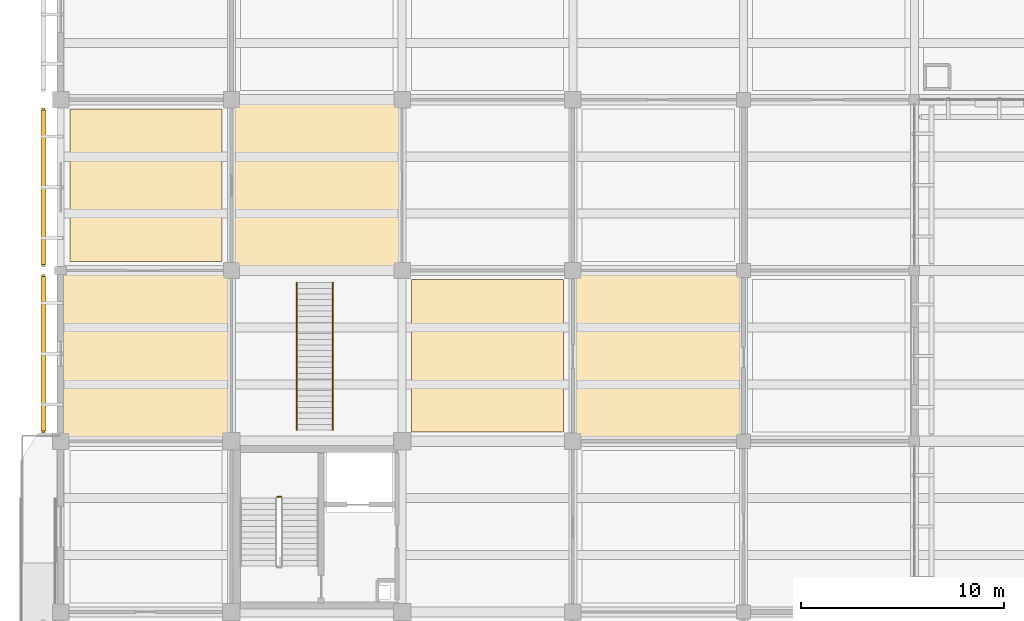
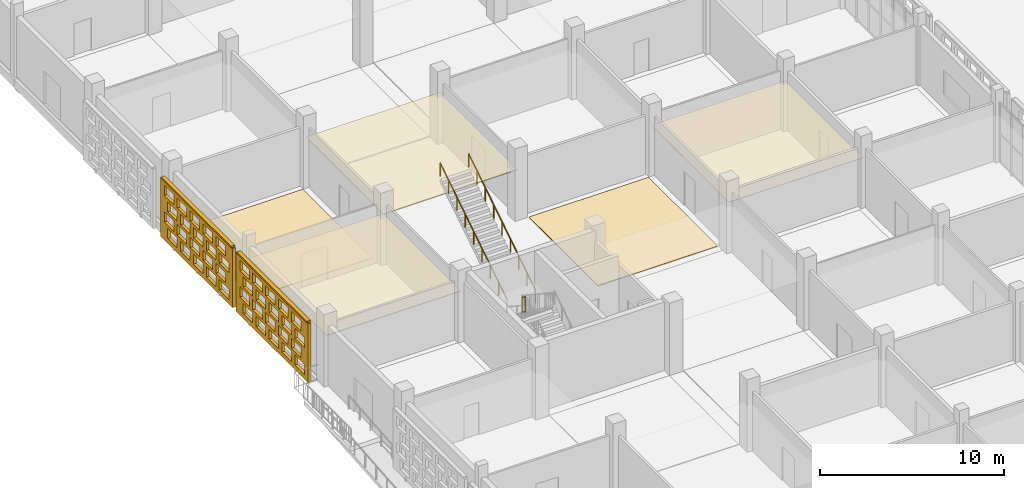
# One storey, part 96 of 129: 7 coverings, 3 railings, 2 shading devices, 40 openings.
"""IFC4 building model written with IfcOpenShell, lengths in metres."""

from ifc_helpers import new_model, si_unit, direction, frame, frame_2d, origin, origin_2d, place, context, subcontext, project, spatial, rectangle, circle, extrude, material, layer, layer_set, type_object, element, save


model = new_model("IFC4")

# Units and contexts
model_context = context("Model", 3, precision=1e-05, world=origin(), true_north=direction((0.0, 1.0)))
body_context = subcontext(model_context, "Body", "Model", "MODEL_VIEW")
ifc_project = project(units=[si_unit("LENGTHUNIT", "METRE"), si_unit("AREAUNIT", "SQUARE_METRE"), si_unit("VOLUMEUNIT", "CUBIC_METRE"), si_unit("PLANEANGLEUNIT", "RADIAN"), si_unit("MASSUNIT", "GRAM", prefix="KILO")], contexts=[model_context])

# Site, building, storey
site_placement = place(None, origin())
site = spatial("IfcSite", under=ifc_project, at=site_placement, CompositionType="ELEMENT")
building_placement = place(site_placement, origin())
building = spatial("IfcBuilding", under=site, at=building_placement, Name="Varnapada Polytechnic", CompositionType="ELEMENT")
storey_placement = place(building_placement, origin())
storey = spatial("IfcBuildingStorey", under=building, at=storey_placement, Name="L00", CompositionType="ELEMENT", Elevation=0.0)

# Coverings
ifc_material_1 = material(Name="Acoustic Rubber Seminar Flooring")
ifc_layer_1 = layer(ifc_material_1, 0.0400390625)
ifc_layer_set_1 = layer_set([ifc_layer_1], Name="Acoustic Rubber Seminar Flooring")
covering_type_1 = type_object("IfcCoveringType", Name="Floor Finish FLR-06", PredefinedType="FLOORING", material=ifc_layer_set_1)
for number, where, z_axis, x_axis, name in (
    (1, (4.199951171875, 79.800048828125, 0.0), (0.0, 0.0, 1.0), (1.0, 0.0, 0.0), "L00 floor finish panel (1,10)"),
    (2, (21.0, 71.39990234375, 0.0), (0.0, 0.0, 1.0), (1.0, 0.0, 0.0), "L00 floor finish panel (3,9)"),
):
    element("IfcCovering", number, at=place(storey_placement, frame(where, z_axis=z_axis, x_axis=x_axis)), inside=storey, type_object=covering_type_1, Name=name, PredefinedType="FLOORING", context=body_context, shape_type="SweptSolid", body=[
        extrude(rectangle(XDim=7.5, YDim=7.5, at=origin_2d()), origin(), (0.0, 0.0, 1.0), 0.0400390625),
    ])

# Railings
ifc_material_2 = material(Name="Brushed Stainless Steel 316", Category="steel")
railing_type_1 = type_object("IfcRailingType", Name="Stair Wall Handrail SHR-01", PredefinedType="HANDRAIL", material=ifc_material_2)
for number, where, name in (
    (3, (11.610107421875, 67.75, 0.177734375), "L00 commons stair ST-F3 handrail L"),
    (4, (13.389892578125, 67.75, 0.177734375), "L00 commons stair ST-F3 handrail R"),
):
    element("IfcRailing", number, at=place(storey_placement, frame(where)), inside=storey, type_object=railing_type_1, Name=name, PredefinedType="HANDRAIL", context=body_context, shape_type="SweptSolid", body=[
        extrude(circle(Radius=0.02392578125, at=origin_2d()), frame((0.0, 0.0, 0.8759765625), z_axis=(0.0, 0.84320402991, 0.537593679226), x_axis=(-1.0, 0.0, 0.0)), (0.0, 0.0, 1.0), 8.59814453125),
        extrude(circle(Radius=0.02099609375, at=origin_2d()), origin(), (0.0, 0.0, 1.0), 0.851806640625),
        extrude(circle(Radius=0.02099609375, at=origin_2d()), frame((0.0, 0.90625, 0.577880859375)), (0.0, 0.0, 1.0), 0.851806640625),
        extrude(circle(Radius=0.02099609375, at=origin_2d()), frame((0.0, 1.8125, 1.155517578125)), (0.0, 0.0, 1.0), 0.851806640625),
        extrude(circle(Radius=0.02099609375, at=origin_2d()), frame((0.0, 2.71875, 1.7333984375)), (0.0, 0.0, 1.0), 0.851806640625),
        extrude(circle(Radius=0.02099609375, at=origin_2d()), frame((0.0, 3.625, 2.31103515625)), (0.0, 0.0, 1.0), 0.851806640625),
        extrude(circle(Radius=0.02099609375, at=origin_2d()), frame((0.0, 4.53125, 2.888916015625)), (0.0, 0.0, 1.0), 0.851806640625),
        extrude(circle(Radius=0.02099609375, at=origin_2d()), frame((0.0, 5.4375, 3.466796875)), (0.0, 0.0, 1.0), 0.851806640625),
        extrude(circle(Radius=0.02099609375, at=origin_2d()), frame((0.0, 6.34375, 4.04443359375)), (0.0, 0.0, 1.0), 0.851806640625),
        extrude(circle(Radius=0.02099609375, at=origin_2d()), frame((0.0, 7.25, 4.622314453125)), (0.0, 0.0, 1.0), 0.851806640625),
    ])
railing_type_2 = type_object("IfcRailingType", Name="Stair Well Guard Rail SGR-01", PredefinedType="BALUSTRADE", material=ifc_material_2)
railing_placement = place(storey_placement, frame((10.85009765625, 64.4599609375, 2.39990234375)))
element("IfcRailing", 5, at=railing_placement, inside=storey, type_object=railing_type_2, Name="L00 ST-2 stair guard 2", PredefinedType="BALUSTRADE", context=body_context, shape_type="SweptSolid", body=[
    extrude(circle(Radius=0.02392578125, at=origin_2d()), frame((0.0, 0.0, 1.09619140625), z_axis=(-1.0, 0.0, 0.0), x_axis=(0.0, -1.0, 0.0)), (0.0, 0.0, 1.0), 0.2001953125),
    extrude(circle(Radius=0.02392578125, at=origin_2d()), frame((0.0, 0.0, 0.10009765625), z_axis=(-1.0, 0.0, 0.0), x_axis=(0.0, -1.0, 0.0)), (0.0, 0.0, 1.0), 0.2001953125),
    extrude(circle(Radius=0.02099609375, at=origin_2d()), origin(), (0.0, 0.0, 1.0), 1.072021484375),
    extrude(circle(Radius=0.02099609375, at=origin_2d()), frame((-0.2001953125, 0.0, 0.0)), (0.0, 0.0, 1.0), 1.072021484375),
])

# Coverings
ifc_material_3 = material(Name="Mineral Fibre Acoustic Ceiling Tile")
ifc_layer_2 = layer(ifc_material_3, 0.0400390625)
ifc_layer_set_2 = layer_set([ifc_layer_2], Name="Mineral Fibre Acoustic Ceiling Tile")
covering_type_2 = type_object("IfcCoveringType", Name="Suspended Ceiling CLG-01", PredefinedType="CEILING", material=ifc_layer_set_2)
covering_1_placement = place(storey_placement, frame((29.39990234375, 71.39990234375, 3.030029296875), z_axis=(0.0, 0.0, 1.0), x_axis=(1.0, 0.0, 0.0)))
element("IfcCovering", 6, at=covering_1_placement, inside=storey, type_object=covering_type_2, Name="L00 suspended acoustic ceiling (4,9)", PredefinedType="CEILING", context=body_context, shape_type="SweptSolid", body=[
    extrude(rectangle(XDim=8.419921875, YDim=8.419921875, at=origin_2d()), origin(), (0.0, 0.0, 1.0), 0.0400390625),
])
ifc_material_4 = material(Name="Slatted Merbau Timber Acoustic Ceiling", Category="wood")
ifc_layer_3 = layer(ifc_material_4, 0.054931640625)
ifc_layer_set_3 = layer_set([ifc_layer_3], Name="Slatted Merbau Timber Acoustic Ceiling")
covering_type_3 = type_object("IfcCoveringType", Name="Suspended Ceiling CLG-05", PredefinedType="CEILING", material=ifc_layer_set_3)
for number, where, z_axis, x_axis, name in (
    (7, (4.199951171875, 71.39990234375, 3.0224609375), (0.0, 0.0, 1.0), (1.0, 0.0, 0.0), "L00 suspended acoustic ceiling (1,9)"),
    (8, (12.60009765625, 79.800048828125, 3.0224609375), (0.0, 0.0, 1.0), (1.0, 0.0, 0.0), "L00 suspended acoustic ceiling (2,10)"),
):
    element("IfcCovering", number, at=place(storey_placement, frame(where, z_axis=z_axis, x_axis=x_axis)), inside=storey, type_object=covering_type_3, Name=name, PredefinedType="CEILING", context=body_context, shape_type="SweptSolid", body=[
        extrude(rectangle(XDim=8.419921875, YDim=8.419921875, at=origin_2d()), origin(), (0.0, 0.0, 1.0), 0.054931640625),
    ])

# Covering, openings
ifc_material_5 = material(Name="Earth-toned architectural terracotta screen block", Category="masonry")
ifc_layer_4 = layer(ifc_material_5, 0.1201171875)
ifc_layer_set_4 = layer_set([ifc_layer_4], Name="Earth-toned architectural terracotta screen block")
covering_type_4 = type_object("IfcCoveringType", Name="Terracotta Screen Cladding CLD-01", PredefinedType="CLADDING", material=ifc_layer_set_4)
covering_2_placement = place(storey_placement, frame((-0.85009765625, 67.60009765625, 0.0), z_axis=(0.0, 0.0, 1.0), x_axis=(0.0, 1.0, 0.0)))
covering_2 = element("IfcCovering", 9, at=covering_2_placement, inside=storey, type_object=covering_type_4, Name="L00 perforated terracotta block screen (5)", PredefinedType="CLADDING", context=body_context, shape_type="SweptSolid", body=[
    extrude(rectangle(XDim=7.7998046875, YDim=0.179931640625, at=frame_2d((3.89990234375, 0.0))), origin(), (0.0, 0.0, 1.0), 3.919921875),
])
opening_1_placement = place(covering_2_placement, frame((0.39990234375, 0.0, 0.313720703125)))
element("IfcOpeningElement", 10, at=opening_1_placement, cuts=covering_2, Name="Screen perforation TBS-L00-004.1", PredefinedType="OPENING", context=body_context, shape_type="SweptSolid", body=[
    extrude(rectangle(XDim=1.0400390625, YDim=0.679931640625, at=frame_2d((0.52001953125, 0.33984375))), frame((0.0, 0.099853515625, 0.0), z_axis=(0.0, -1.0, 0.0), x_axis=(1.0, 0.0, 0.0)), (0.0, 0.0, 1.0), 0.199951171875),
])
opening_2_placement = place(covering_2_placement, frame((1.800048828125, 0.0, 0.313720703125)))
element("IfcOpeningElement", 11, at=opening_2_placement, cuts=covering_2, Name="Screen perforation TBS-L00-004.2", PredefinedType="OPENING", context=body_context, shape_type="SweptSolid", body=[
    extrude(rectangle(XDim=1.0400390625, YDim=0.679931640625, at=frame_2d((0.52001953125, 0.33984375))), frame((0.0, 0.099853515625, 0.0), z_axis=(0.0, -1.0, 0.0), x_axis=(1.0, 0.0, 0.0)), (0.0, 0.0, 1.0), 0.199951171875),
])
opening_3_placement = place(covering_2_placement, frame((3.199951171875, 0.0, 0.313720703125)))
element("IfcOpeningElement", 12, at=opening_3_placement, cuts=covering_2, Name="Screen perforation TBS-L00-004.3", PredefinedType="OPENING", context=body_context, shape_type="SweptSolid", body=[
    extrude(rectangle(XDim=1.0400390625, YDim=0.679931640625, at=frame_2d((0.52001953125, 0.33984375))), frame((0.0, 0.099853515625, 0.0), z_axis=(0.0, -1.0, 0.0), x_axis=(1.0, 0.0, 0.0)), (0.0, 0.0, 1.0), 0.199951171875),
])
opening_4_placement = place(covering_2_placement, frame((4.60009765625, 0.0, 0.313720703125)))
element("IfcOpeningElement", 13, at=opening_4_placement, cuts=covering_2, Name="Screen perforation TBS-L00-004.4", PredefinedType="OPENING", context=body_context, shape_type="SweptSolid", body=[
    extrude(rectangle(XDim=1.0400390625, YDim=0.679931640625, at=frame_2d((0.52001953125, 0.33984375))), frame((0.0, 0.099853515625, 0.0), z_axis=(0.0, -1.0, 0.0), x_axis=(1.0, 0.0, 0.0)), (0.0, 0.0, 1.0), 0.199951171875),
])
opening_5_placement = place(covering_2_placement, frame((6.0, 0.0, 0.313720703125)))
element("IfcOpeningElement", 14, at=opening_5_placement, cuts=covering_2, Name="Screen perforation TBS-L00-004.5", PredefinedType="OPENING", context=body_context, shape_type="SweptSolid", body=[
    extrude(rectangle(XDim=1.0400390625, YDim=0.679931640625, at=frame_2d((0.52001953125, 0.33984375))), frame((0.0, 0.099853515625, 0.0), z_axis=(0.0, -1.0, 0.0), x_axis=(1.0, 0.0, 0.0)), (0.0, 0.0, 1.0), 0.199951171875),
])
opening_6_placement = place(covering_2_placement, frame((0.760009765625, 0.0, 1.195556640625)))
element("IfcOpeningElement", 15, at=opening_6_placement, cuts=covering_2, Name="Screen perforation TBS-L00-004.6", PredefinedType="OPENING", context=body_context, shape_type="SweptSolid", body=[
    extrude(rectangle(XDim=1.0400390625, YDim=0.679931640625, at=frame_2d((0.52001953125, 0.33984375))), frame((0.0, 0.099853515625, 0.0), z_axis=(0.0, -1.0, 0.0), x_axis=(1.0, 0.0, 0.0)), (0.0, 0.0, 1.0), 0.199951171875),
])
opening_7_placement = place(covering_2_placement, frame((2.159912109375, 0.0, 1.195556640625)))
element("IfcOpeningElement", 16, at=opening_7_placement, cuts=covering_2, Name="Screen perforation TBS-L00-004.7", PredefinedType="OPENING", context=body_context, shape_type="SweptSolid", body=[
    extrude(rectangle(XDim=1.0400390625, YDim=0.679931640625, at=frame_2d((0.52001953125, 0.33984375))), frame((0.0, 0.099853515625, 0.0), z_axis=(0.0, -1.0, 0.0), x_axis=(1.0, 0.0, 0.0)), (0.0, 0.0, 1.0), 0.199951171875),
])
opening_8_placement = place(covering_2_placement, frame((3.56005859375, 0.0, 1.195556640625)))
element("IfcOpeningElement", 17, at=opening_8_placement, cuts=covering_2, Name="Screen perforation TBS-L00-004.8", PredefinedType="OPENING", context=body_context, shape_type="SweptSolid", body=[
    extrude(rectangle(XDim=1.0400390625, YDim=0.679931640625, at=frame_2d((0.52001953125, 0.33984375))), frame((0.0, 0.099853515625, 0.0), z_axis=(0.0, -1.0, 0.0), x_axis=(1.0, 0.0, 0.0)), (0.0, 0.0, 1.0), 0.199951171875),
])
opening_9_placement = place(covering_2_placement, frame((4.9599609375, 0.0, 1.195556640625)))
element("IfcOpeningElement", 18, at=opening_9_placement, cuts=covering_2, Name="Screen perforation TBS-L00-004.9", PredefinedType="OPENING", context=body_context, shape_type="SweptSolid", body=[
    extrude(rectangle(XDim=1.0400390625, YDim=0.679931640625, at=frame_2d((0.52001953125, 0.33984375))), frame((0.0, 0.099853515625, 0.0), z_axis=(0.0, -1.0, 0.0), x_axis=(1.0, 0.0, 0.0)), (0.0, 0.0, 1.0), 0.199951171875),
])
opening_10_placement = place(covering_2_placement, frame((6.360107421875, 0.0, 1.195556640625)))
element("IfcOpeningElement", 19, at=opening_10_placement, cuts=covering_2, Name="Screen perforation TBS-L00-004.10", PredefinedType="OPENING", context=body_context, shape_type="SweptSolid", body=[
    extrude(rectangle(XDim=1.0400390625, YDim=0.679931640625, at=frame_2d((0.52001953125, 0.33984375))), frame((0.0, 0.099853515625, 0.0), z_axis=(0.0, -1.0, 0.0), x_axis=(1.0, 0.0, 0.0)), (0.0, 0.0, 1.0), 0.199951171875),
])
opening_11_placement = place(covering_2_placement, frame((0.39990234375, 0.0, 2.07763671875)))
element("IfcOpeningElement", 20, at=opening_11_placement, cuts=covering_2, Name="Screen perforation TBS-L00-004.11", PredefinedType="OPENING", context=body_context, shape_type="SweptSolid", body=[
    extrude(rectangle(XDim=1.0400390625, YDim=0.679931640625, at=frame_2d((0.52001953125, 0.33984375))), frame((0.0, 0.099853515625, 0.0), z_axis=(0.0, -1.0, 0.0), x_axis=(1.0, 0.0, 0.0)), (0.0, 0.0, 1.0), 0.199951171875),
])
opening_12_placement = place(covering_2_placement, frame((1.800048828125, 0.0, 2.07763671875)))
element("IfcOpeningElement", 21, at=opening_12_placement, cuts=covering_2, Name="Screen perforation TBS-L00-004.12", PredefinedType="OPENING", context=body_context, shape_type="SweptSolid", body=[
    extrude(rectangle(XDim=1.0400390625, YDim=0.679931640625, at=frame_2d((0.52001953125, 0.33984375))), frame((0.0, 0.099853515625, 0.0), z_axis=(0.0, -1.0, 0.0), x_axis=(1.0, 0.0, 0.0)), (0.0, 0.0, 1.0), 0.199951171875),
])
opening_13_placement = place(covering_2_placement, frame((3.199951171875, 0.0, 2.07763671875)))
element("IfcOpeningElement", 22, at=opening_13_placement, cuts=covering_2, Name="Screen perforation TBS-L00-004.13", PredefinedType="OPENING", context=body_context, shape_type="SweptSolid", body=[
    extrude(rectangle(XDim=1.0400390625, YDim=0.679931640625, at=frame_2d((0.52001953125, 0.33984375))), frame((0.0, 0.099853515625, 0.0), z_axis=(0.0, -1.0, 0.0), x_axis=(1.0, 0.0, 0.0)), (0.0, 0.0, 1.0), 0.199951171875),
])
opening_14_placement = place(covering_2_placement, frame((4.60009765625, 0.0, 2.07763671875)))
element("IfcOpeningElement", 23, at=opening_14_placement, cuts=covering_2, Name="Screen perforation TBS-L00-004.14", PredefinedType="OPENING", context=body_context, shape_type="SweptSolid", body=[
    extrude(rectangle(XDim=1.0400390625, YDim=0.679931640625, at=frame_2d((0.52001953125, 0.33984375))), frame((0.0, 0.099853515625, 0.0), z_axis=(0.0, -1.0, 0.0), x_axis=(1.0, 0.0, 0.0)), (0.0, 0.0, 1.0), 0.199951171875),
])
opening_15_placement = place(covering_2_placement, frame((6.0, 0.0, 2.07763671875)))
element("IfcOpeningElement", 24, at=opening_15_placement, cuts=covering_2, Name="Screen perforation TBS-L00-004.15", PredefinedType="OPENING", context=body_context, shape_type="SweptSolid", body=[
    extrude(rectangle(XDim=1.0400390625, YDim=0.679931640625, at=frame_2d((0.52001953125, 0.33984375))), frame((0.0, 0.099853515625, 0.0), z_axis=(0.0, -1.0, 0.0), x_axis=(1.0, 0.0, 0.0)), (0.0, 0.0, 1.0), 0.199951171875),
])
opening_16_placement = place(covering_2_placement, frame((0.760009765625, 0.0, 2.959716796875)))
element("IfcOpeningElement", 25, at=opening_16_placement, cuts=covering_2, Name="Screen perforation TBS-L00-004.16", PredefinedType="OPENING", context=body_context, shape_type="SweptSolid", body=[
    extrude(rectangle(XDim=1.0400390625, YDim=0.679931640625, at=frame_2d((0.52001953125, 0.33984375))), frame((0.0, 0.099853515625, 0.0), z_axis=(0.0, -1.0, 0.0), x_axis=(1.0, 0.0, 0.0)), (0.0, 0.0, 1.0), 0.199951171875),
])
opening_17_placement = place(covering_2_placement, frame((2.159912109375, 0.0, 2.959716796875)))
element("IfcOpeningElement", 26, at=opening_17_placement, cuts=covering_2, Name="Screen perforation TBS-L00-004.17", PredefinedType="OPENING", context=body_context, shape_type="SweptSolid", body=[
    extrude(rectangle(XDim=1.0400390625, YDim=0.679931640625, at=frame_2d((0.52001953125, 0.33984375))), frame((0.0, 0.099853515625, 0.0), z_axis=(0.0, -1.0, 0.0), x_axis=(1.0, 0.0, 0.0)), (0.0, 0.0, 1.0), 0.199951171875),
])
opening_18_placement = place(covering_2_placement, frame((3.56005859375, 0.0, 2.959716796875)))
element("IfcOpeningElement", 27, at=opening_18_placement, cuts=covering_2, Name="Screen perforation TBS-L00-004.18", PredefinedType="OPENING", context=body_context, shape_type="SweptSolid", body=[
    extrude(rectangle(XDim=1.0400390625, YDim=0.679931640625, at=frame_2d((0.52001953125, 0.33984375))), frame((0.0, 0.099853515625, 0.0), z_axis=(0.0, -1.0, 0.0), x_axis=(1.0, 0.0, 0.0)), (0.0, 0.0, 1.0), 0.199951171875),
])
opening_19_placement = place(covering_2_placement, frame((4.9599609375, 0.0, 2.959716796875)))
element("IfcOpeningElement", 28, at=opening_19_placement, cuts=covering_2, Name="Screen perforation TBS-L00-004.19", PredefinedType="OPENING", context=body_context, shape_type="SweptSolid", body=[
    extrude(rectangle(XDim=1.0400390625, YDim=0.679931640625, at=frame_2d((0.52001953125, 0.33984375))), frame((0.0, 0.099853515625, 0.0), z_axis=(0.0, -1.0, 0.0), x_axis=(1.0, 0.0, 0.0)), (0.0, 0.0, 1.0), 0.199951171875),
])
opening_20_placement = place(covering_2_placement, frame((6.360107421875, 0.0, 2.959716796875)))
element("IfcOpeningElement", 29, at=opening_20_placement, cuts=covering_2, Name="Screen perforation TBS-L00-004.20", PredefinedType="OPENING", context=body_context, shape_type="SweptSolid", body=[
    extrude(rectangle(XDim=1.0400390625, YDim=0.679931640625, at=frame_2d((0.52001953125, 0.33984375))), frame((0.0, 0.099853515625, 0.0), z_axis=(0.0, -1.0, 0.0), x_axis=(1.0, 0.0, 0.0)), (0.0, 0.0, 1.0), 0.199951171875),
])

covering_3_placement = place(storey_placement, frame((-0.85009765625, 75.800048828125, 0.0), z_axis=(0.0, 0.0, 1.0), x_axis=(0.0, 1.0, 0.0)))
covering_3 = element("IfcCovering", 30, at=covering_3_placement, inside=storey, type_object=covering_type_4, Name="L00 perforated terracotta block screen (6)", PredefinedType="CLADDING", context=body_context, shape_type="SweptSolid", body=[
    extrude(rectangle(XDim=7.800048828125, YDim=0.179931640625, at=frame_2d((3.89990234375, 0.0))), origin(), (0.0, 0.0, 1.0), 3.919921875),
])
opening_21_placement = place(covering_3_placement, frame((0.39990234375, 0.0, 0.313720703125)))
element("IfcOpeningElement", 31, at=opening_21_placement, cuts=covering_3, Name="Screen perforation TBS-L00-005.1", PredefinedType="OPENING", context=body_context, shape_type="SweptSolid", body=[
    extrude(rectangle(XDim=1.0400390625, YDim=0.679931640625, at=frame_2d((0.52001953125, 0.33984375))), frame((0.0, 0.099853515625, 0.0), z_axis=(0.0, -1.0, 0.0), x_axis=(1.0, 0.0, 0.0)), (0.0, 0.0, 1.0), 0.199951171875),
])
opening_22_placement = place(covering_3_placement, frame((1.800048828125, 0.0, 0.313720703125)))
element("IfcOpeningElement", 32, at=opening_22_placement, cuts=covering_3, Name="Screen perforation TBS-L00-005.2", PredefinedType="OPENING", context=body_context, shape_type="SweptSolid", body=[
    extrude(rectangle(XDim=1.0400390625, YDim=0.679931640625, at=frame_2d((0.52001953125, 0.33984375))), frame((0.0, 0.099853515625, 0.0), z_axis=(0.0, -1.0, 0.0), x_axis=(1.0, 0.0, 0.0)), (0.0, 0.0, 1.0), 0.199951171875),
])
opening_23_placement = place(covering_3_placement, frame((3.199951171875, 0.0, 0.313720703125)))
element("IfcOpeningElement", 33, at=opening_23_placement, cuts=covering_3, Name="Screen perforation TBS-L00-005.3", PredefinedType="OPENING", context=body_context, shape_type="SweptSolid", body=[
    extrude(rectangle(XDim=1.0400390625, YDim=0.679931640625, at=frame_2d((0.52001953125, 0.33984375))), frame((0.0, 0.099853515625, 0.0), z_axis=(0.0, -1.0, 0.0), x_axis=(1.0, 0.0, 0.0)), (0.0, 0.0, 1.0), 0.199951171875),
])
opening_24_placement = place(covering_3_placement, frame((4.60009765625, 0.0, 0.313720703125)))
element("IfcOpeningElement", 34, at=opening_24_placement, cuts=covering_3, Name="Screen perforation TBS-L00-005.4", PredefinedType="OPENING", context=body_context, shape_type="SweptSolid", body=[
    extrude(rectangle(XDim=1.0400390625, YDim=0.679931640625, at=frame_2d((0.52001953125, 0.33984375))), frame((0.0, 0.099853515625, 0.0), z_axis=(0.0, -1.0, 0.0), x_axis=(1.0, 0.0, 0.0)), (0.0, 0.0, 1.0), 0.199951171875),
])
opening_25_placement = place(covering_3_placement, frame((6.0, 0.0, 0.313720703125)))
element("IfcOpeningElement", 35, at=opening_25_placement, cuts=covering_3, Name="Screen perforation TBS-L00-005.5", PredefinedType="OPENING", context=body_context, shape_type="SweptSolid", body=[
    extrude(rectangle(XDim=1.0400390625, YDim=0.679931640625, at=frame_2d((0.52001953125, 0.33984375))), frame((0.0, 0.099853515625, 0.0), z_axis=(0.0, -1.0, 0.0), x_axis=(1.0, 0.0, 0.0)), (0.0, 0.0, 1.0), 0.199951171875),
])
opening_26_placement = place(covering_3_placement, frame((0.760009765625, 0.0, 1.195556640625)))
element("IfcOpeningElement", 36, at=opening_26_placement, cuts=covering_3, Name="Screen perforation TBS-L00-005.6", PredefinedType="OPENING", context=body_context, shape_type="SweptSolid", body=[
    extrude(rectangle(XDim=1.0400390625, YDim=0.679931640625, at=frame_2d((0.52001953125, 0.33984375))), frame((0.0, 0.099853515625, 0.0), z_axis=(0.0, -1.0, 0.0), x_axis=(1.0, 0.0, 0.0)), (0.0, 0.0, 1.0), 0.199951171875),
])
opening_27_placement = place(covering_3_placement, frame((2.159912109375, 0.0, 1.195556640625)))
element("IfcOpeningElement", 37, at=opening_27_placement, cuts=covering_3, Name="Screen perforation TBS-L00-005.7", PredefinedType="OPENING", context=body_context, shape_type="SweptSolid", body=[
    extrude(rectangle(XDim=1.0400390625, YDim=0.679931640625, at=frame_2d((0.52001953125, 0.33984375))), frame((0.0, 0.099853515625, 0.0), z_axis=(0.0, -1.0, 0.0), x_axis=(1.0, 0.0, 0.0)), (0.0, 0.0, 1.0), 0.199951171875),
])
opening_28_placement = place(covering_3_placement, frame((3.56005859375, 0.0, 1.195556640625)))
element("IfcOpeningElement", 38, at=opening_28_placement, cuts=covering_3, Name="Screen perforation TBS-L00-005.8", PredefinedType="OPENING", context=body_context, shape_type="SweptSolid", body=[
    extrude(rectangle(XDim=1.0400390625, YDim=0.679931640625, at=frame_2d((0.52001953125, 0.33984375))), frame((0.0, 0.099853515625, 0.0), z_axis=(0.0, -1.0, 0.0), x_axis=(1.0, 0.0, 0.0)), (0.0, 0.0, 1.0), 0.199951171875),
])
opening_29_placement = place(covering_3_placement, frame((4.9599609375, 0.0, 1.195556640625)))
element("IfcOpeningElement", 39, at=opening_29_placement, cuts=covering_3, Name="Screen perforation TBS-L00-005.9", PredefinedType="OPENING", context=body_context, shape_type="SweptSolid", body=[
    extrude(rectangle(XDim=1.0400390625, YDim=0.679931640625, at=frame_2d((0.52001953125, 0.33984375))), frame((0.0, 0.099853515625, 0.0), z_axis=(0.0, -1.0, 0.0), x_axis=(1.0, 0.0, 0.0)), (0.0, 0.0, 1.0), 0.199951171875),
])
opening_30_placement = place(covering_3_placement, frame((6.360107421875, 0.0, 1.195556640625)))
element("IfcOpeningElement", 40, at=opening_30_placement, cuts=covering_3, Name="Screen perforation TBS-L00-005.10", PredefinedType="OPENING", context=body_context, shape_type="SweptSolid", body=[
    extrude(rectangle(XDim=1.0400390625, YDim=0.679931640625, at=frame_2d((0.52001953125, 0.33984375))), frame((0.0, 0.099853515625, 0.0), z_axis=(0.0, -1.0, 0.0), x_axis=(1.0, 0.0, 0.0)), (0.0, 0.0, 1.0), 0.199951171875),
])
opening_31_placement = place(covering_3_placement, frame((0.39990234375, 0.0, 2.07763671875)))
element("IfcOpeningElement", 41, at=opening_31_placement, cuts=covering_3, Name="Screen perforation TBS-L00-005.11", PredefinedType="OPENING", context=body_context, shape_type="SweptSolid", body=[
    extrude(rectangle(XDim=1.0400390625, YDim=0.679931640625, at=frame_2d((0.52001953125, 0.33984375))), frame((0.0, 0.099853515625, 0.0), z_axis=(0.0, -1.0, 0.0), x_axis=(1.0, 0.0, 0.0)), (0.0, 0.0, 1.0), 0.199951171875),
])
opening_32_placement = place(covering_3_placement, frame((1.800048828125, 0.0, 2.07763671875)))
element("IfcOpeningElement", 42, at=opening_32_placement, cuts=covering_3, Name="Screen perforation TBS-L00-005.12", PredefinedType="OPENING", context=body_context, shape_type="SweptSolid", body=[
    extrude(rectangle(XDim=1.0400390625, YDim=0.679931640625, at=frame_2d((0.52001953125, 0.33984375))), frame((0.0, 0.099853515625, 0.0), z_axis=(0.0, -1.0, 0.0), x_axis=(1.0, 0.0, 0.0)), (0.0, 0.0, 1.0), 0.199951171875),
])
opening_33_placement = place(covering_3_placement, frame((3.199951171875, 0.0, 2.07763671875)))
element("IfcOpeningElement", 43, at=opening_33_placement, cuts=covering_3, Name="Screen perforation TBS-L00-005.13", PredefinedType="OPENING", context=body_context, shape_type="SweptSolid", body=[
    extrude(rectangle(XDim=1.0400390625, YDim=0.679931640625, at=frame_2d((0.52001953125, 0.33984375))), frame((0.0, 0.099853515625, 0.0), z_axis=(0.0, -1.0, 0.0), x_axis=(1.0, 0.0, 0.0)), (0.0, 0.0, 1.0), 0.199951171875),
])
opening_34_placement = place(covering_3_placement, frame((4.60009765625, 0.0, 2.07763671875)))
element("IfcOpeningElement", 44, at=opening_34_placement, cuts=covering_3, Name="Screen perforation TBS-L00-005.14", PredefinedType="OPENING", context=body_context, shape_type="SweptSolid", body=[
    extrude(rectangle(XDim=1.0400390625, YDim=0.679931640625, at=frame_2d((0.52001953125, 0.33984375))), frame((0.0, 0.099853515625, 0.0), z_axis=(0.0, -1.0, 0.0), x_axis=(1.0, 0.0, 0.0)), (0.0, 0.0, 1.0), 0.199951171875),
])
opening_35_placement = place(covering_3_placement, frame((6.0, 0.0, 2.07763671875)))
element("IfcOpeningElement", 45, at=opening_35_placement, cuts=covering_3, Name="Screen perforation TBS-L00-005.15", PredefinedType="OPENING", context=body_context, shape_type="SweptSolid", body=[
    extrude(rectangle(XDim=1.0400390625, YDim=0.679931640625, at=frame_2d((0.52001953125, 0.33984375))), frame((0.0, 0.099853515625, 0.0), z_axis=(0.0, -1.0, 0.0), x_axis=(1.0, 0.0, 0.0)), (0.0, 0.0, 1.0), 0.199951171875),
])
opening_36_placement = place(covering_3_placement, frame((0.760009765625, 0.0, 2.959716796875)))
element("IfcOpeningElement", 46, at=opening_36_placement, cuts=covering_3, Name="Screen perforation TBS-L00-005.16", PredefinedType="OPENING", context=body_context, shape_type="SweptSolid", body=[
    extrude(rectangle(XDim=1.0400390625, YDim=0.679931640625, at=frame_2d((0.52001953125, 0.33984375))), frame((0.0, 0.099853515625, 0.0), z_axis=(0.0, -1.0, 0.0), x_axis=(1.0, 0.0, 0.0)), (0.0, 0.0, 1.0), 0.199951171875),
])
opening_37_placement = place(covering_3_placement, frame((2.159912109375, 0.0, 2.959716796875)))
element("IfcOpeningElement", 47, at=opening_37_placement, cuts=covering_3, Name="Screen perforation TBS-L00-005.17", PredefinedType="OPENING", context=body_context, shape_type="SweptSolid", body=[
    extrude(rectangle(XDim=1.0400390625, YDim=0.679931640625, at=frame_2d((0.52001953125, 0.33984375))), frame((0.0, 0.099853515625, 0.0), z_axis=(0.0, -1.0, 0.0), x_axis=(1.0, 0.0, 0.0)), (0.0, 0.0, 1.0), 0.199951171875),
])
opening_38_placement = place(covering_3_placement, frame((3.56005859375, 0.0, 2.959716796875)))
element("IfcOpeningElement", 48, at=opening_38_placement, cuts=covering_3, Name="Screen perforation TBS-L00-005.18", PredefinedType="OPENING", context=body_context, shape_type="SweptSolid", body=[
    extrude(rectangle(XDim=1.0400390625, YDim=0.679931640625, at=frame_2d((0.52001953125, 0.33984375))), frame((0.0, 0.099853515625, 0.0), z_axis=(0.0, -1.0, 0.0), x_axis=(1.0, 0.0, 0.0)), (0.0, 0.0, 1.0), 0.199951171875),
])
opening_39_placement = place(covering_3_placement, frame((4.9599609375, 0.0, 2.959716796875)))
element("IfcOpeningElement", 49, at=opening_39_placement, cuts=covering_3, Name="Screen perforation TBS-L00-005.19", PredefinedType="OPENING", context=body_context, shape_type="SweptSolid", body=[
    extrude(rectangle(XDim=1.0400390625, YDim=0.679931640625, at=frame_2d((0.52001953125, 0.33984375))), frame((0.0, 0.099853515625, 0.0), z_axis=(0.0, -1.0, 0.0), x_axis=(1.0, 0.0, 0.0)), (0.0, 0.0, 1.0), 0.199951171875),
])
opening_40_placement = place(covering_3_placement, frame((6.360107421875, 0.0, 2.959716796875)))
element("IfcOpeningElement", 50, at=opening_40_placement, cuts=covering_3, Name="Screen perforation TBS-L00-005.20", PredefinedType="OPENING", context=body_context, shape_type="SweptSolid", body=[
    extrude(rectangle(XDim=1.0400390625, YDim=0.679931640625, at=frame_2d((0.52001953125, 0.33984375))), frame((0.0, 0.099853515625, 0.0), z_axis=(0.0, -1.0, 0.0), x_axis=(1.0, 0.0, 0.0)), (0.0, 0.0, 1.0), 0.199951171875),
])

# Shading devices
ifc_layer_5 = layer(ifc_material_5, 0.179931640625)
ifc_layer_set_5 = layer_set([ifc_layer_5], Name="Earth-toned architectural terracotta screen block")
shading_device_type = type_object("IfcShadingDeviceType", Name="Terracotta Screen SCR-02", PredefinedType="USERDEFINED", material=ifc_layer_set_5)
for number, where, z_axis, x_axis, name in (
    (51, (-0.85009765625, 71.5, 3.909912109375), (0.0, 0.0, 1.0), (0.0, 1.0, 0.0), "L00 perforated terracotta screen hood 4"),
    (52, (-0.85009765625, 79.699951171875, 3.909912109375), (0.0, 0.0, 1.0), (0.0, 1.0, 0.0), "L00 perforated terracotta screen hood 5"),
):
    element("IfcShadingDevice", number, at=place(storey_placement, frame(where, z_axis=z_axis, x_axis=x_axis)), inside=storey, type_object=shading_device_type, Name=name, ObjectType="SCREEN", PredefinedType="USERDEFINED", context=body_context, shape_type="SweptSolid", body=[
        extrude(rectangle(XDim=7.60009765625, YDim=0.239990234375, at=origin_2d()), origin(), (0.0, 0.0, 1.0), 0.10009765625),
    ])

save(model, "model.ifc")
